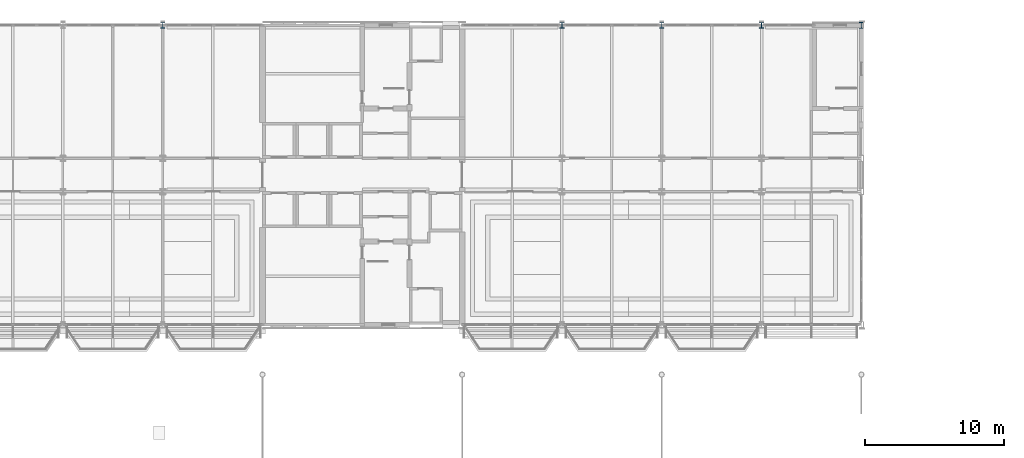
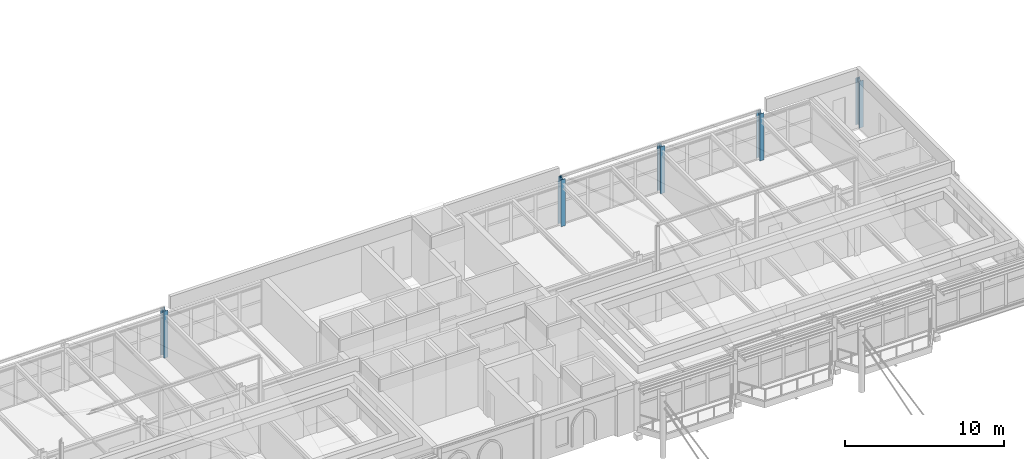
# One storey, part 9 of 68: 5 columns.
"""IFC4 building model written with IfcOpenShell, lengths in metres."""

from ifc_helpers import new_model, si_unit, direction, frame, origin, origin_2d, place, context, subcontext, project, spatial, i_section, extrude, material, material_profile, profile_set, type_object, element, save


model = new_model("IFC4")

# Units and contexts
model_context = context("Model", 3, precision=1e-05, world=origin(), true_north=direction((0.0, 1.0)))
body_context = subcontext(model_context, "Body", "Model", "MODEL_VIEW")
ifc_project = project(units=[si_unit("LENGTHUNIT", "METRE"), si_unit("AREAUNIT", "SQUARE_METRE"), si_unit("VOLUMEUNIT", "CUBIC_METRE"), si_unit("PLANEANGLEUNIT", "RADIAN"), si_unit("MASSUNIT", "GRAM", prefix="KILO")], contexts=[model_context])

# Site, building, storey
site_placement = place(None, origin())
site = spatial("IfcSite", under=ifc_project, at=site_placement, CompositionType="ELEMENT")
building_placement = place(site_placement, origin())
building = spatial("IfcBuilding", under=site, at=building_placement, Name="Kupolbacken Congress Centre", CompositionType="ELEMENT")
storey_placement = place(building_placement, frame((0.0, 0.0, 25.199951171875)))
storey = spatial("IfcBuildingStorey", under=building, at=storey_placement, Name="L07", CompositionType="ELEMENT", Elevation=25.199951171875)

# Columns
ifc_material_1 = material(Name="Steel S355", Category="steel")
ifc_material_profile_1 = material_profile(ifc_material_1, i_section(OverallWidth=0.306884765625, OverallDepth=0.431884765625, WebThickness=0.02099609375, FlangeThickness=0.0400390625, FilletRadius=0.027099609375, at=origin_2d()), Name="HEM 400")
ifc_profile_set_1 = profile_set([ifc_material_profile_1], Name="Steel S355")
column_type_1 = type_object("IfcColumnType", Name="C02 column HEM 400", PredefinedType="COLUMN", material=ifc_profile_set_1)
for number, where, z_axis, x_axis, name in (
    (1, (86.39990234375, 144.0, 0.0), (0.0, 0.0, 1.0), (1.0, 0.0, 0.0), "S/col/C-T-13W/L07"),
    (2, (115.199951171875, 144.0, 0.0), (0.0, 0.0, 1.0), (1.0, 0.0, 0.0), "S/col/C-T-17W/L07"),
    (3, (122.39990234375, 144.0, 0.0), (0.0, 0.0, 1.0), (1.0, 0.0, 0.0), "S/col/C-T-18W/L07"),
    (4, (129.60009765625, 144.0, 0.0), (0.0, 0.0, 1.0), (1.0, 0.0, 0.0), "S/col/C-T-19W/L07"),
):
    element("IfcColumn", number, at=place(storey_placement, frame(where, z_axis=z_axis, x_axis=x_axis)), inside=storey, type_object=column_type_1, Name=name, PredefinedType="COLUMN", context=body_context, shape_type="SweptSolid", body=[
        extrude(i_section(OverallWidth=0.306884765625, OverallDepth=0.431884765625, WebThickness=0.02099609375, FlangeThickness=0.0400390625, FilletRadius=0.027099609375, at=origin_2d()), origin(), (0.0, 0.0, 1.0), 3.60009765625),
    ])
ifc_material_2 = material(Name="Steel S355", Category="steel")
ifc_material_profile_2 = material_profile(ifc_material_2, i_section(OverallWidth=0.300048828125, OverallDepth=0.449951171875, WebThickness=0.013916015625, FlangeThickness=0.02587890625, FilletRadius=0.027099609375, at=origin_2d()), Name="HEB 450")
ifc_profile_set_2 = profile_set([ifc_material_profile_2], Name="Steel S355")
column_type_2 = type_object("IfcColumnType", Name="C03 column HEB 450", PredefinedType="COLUMN", material=ifc_profile_set_2)
column_placement = place(storey_placement, frame((136.800048828125, 144.0, 0.0), z_axis=(0.0, 0.0, 1.0), x_axis=(1.0, 0.0, 0.0)))
element("IfcColumn", 5, at=column_placement, inside=storey, type_object=column_type_2, Name="S/col/C-T-20W/L07", PredefinedType="COLUMN", context=body_context, shape_type="SweptSolid", body=[
    extrude(i_section(OverallWidth=0.300048828125, OverallDepth=0.449951171875, WebThickness=0.013916015625, FlangeThickness=0.02587890625, FilletRadius=0.027099609375, at=origin_2d()), origin(), (0.0, 0.0, 1.0), 3.60009765625),
])

save(model, "model.ifc")
